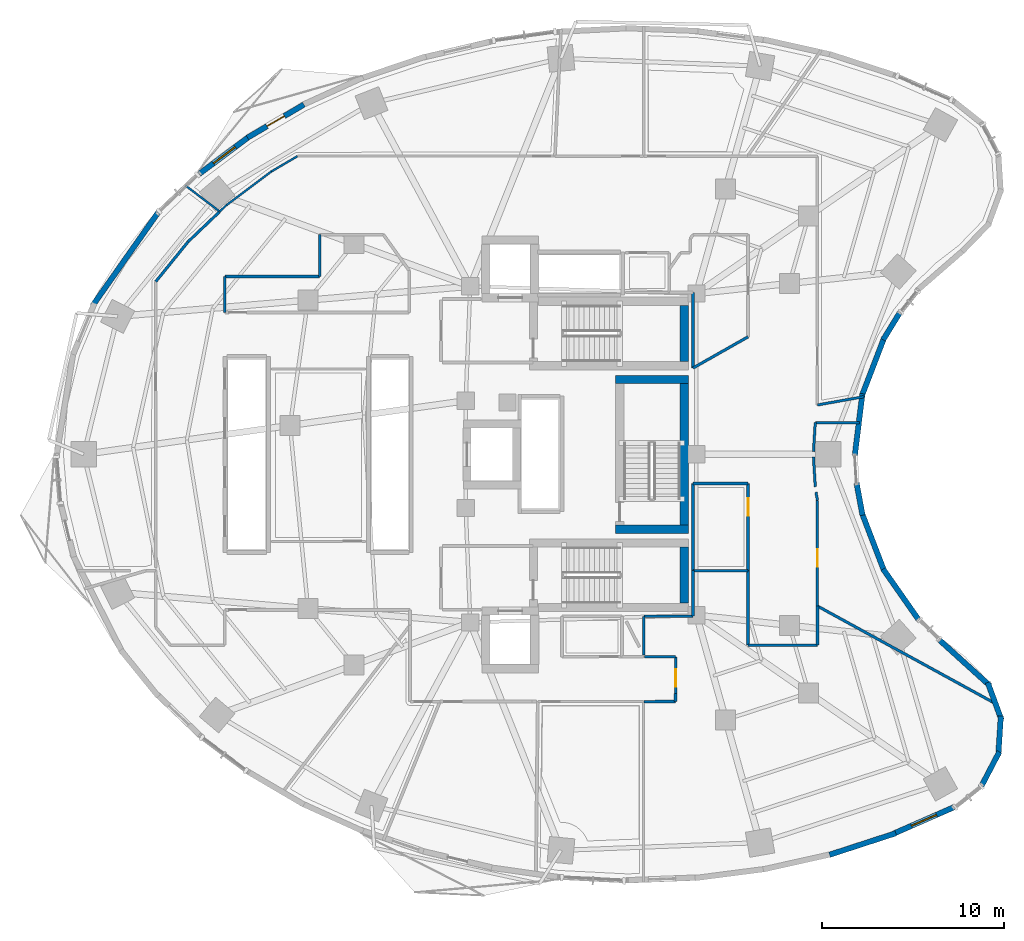
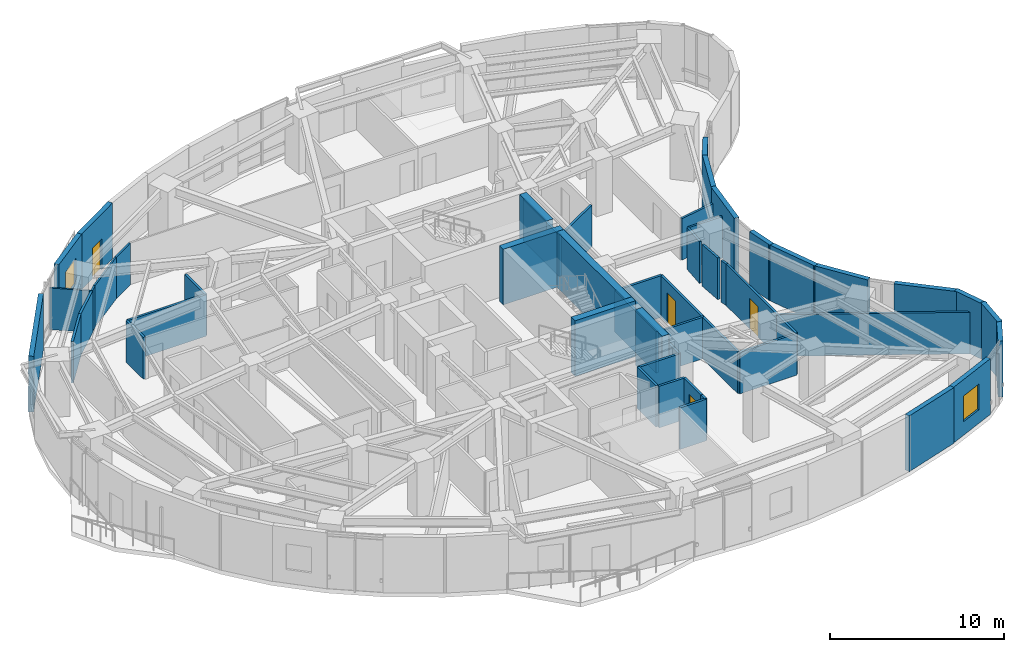
# One storey, part 10 of 15: 52 walls, 4 doors, 2 windows, 6 openings.
"""IFC4 building model written with IfcOpenShell, lengths in metres."""

from ifc_helpers import new_model, si_unit, direction, frame, frame_2d, origin, place, context, subcontext, project, spatial, rectangle, extrude, material, layer, layer_set, type_object, element, fill, save


model = new_model("IFC4")

# Units and contexts
model_context = context("Model", 3, precision=1e-05, world=origin(), true_north=direction((0.0, 1.0)))
body_context = subcontext(model_context, "Body", "Model", "MODEL_VIEW")
ifc_project = project(units=[si_unit("LENGTHUNIT", "METRE"), si_unit("AREAUNIT", "SQUARE_METRE"), si_unit("VOLUMEUNIT", "CUBIC_METRE"), si_unit("PLANEANGLEUNIT", "RADIAN"), si_unit("MASSUNIT", "GRAM", prefix="KILO")], contexts=[model_context])

# Site, building, storey
site_placement = place(None, origin())
site = spatial("IfcSite", under=ifc_project, at=site_placement, CompositionType="ELEMENT")
building_placement = place(site_placement, origin())
building = spatial("IfcBuilding", under=site, at=building_placement, Name="Korentha Bioscience Tower", CompositionType="ELEMENT")
storey_placement = place(building_placement, frame((0.0, 0.0, 38.39990234375)))
storey = spatial("IfcBuildingStorey", under=building, at=storey_placement, Name="L08", CompositionType="ELEMENT", Elevation=38.39990234375)

# Wall, opening, door
ifc_material_1 = material(Name="Double-Stud Acoustic Gypsum", Category="gypsum")
ifc_layer_1 = layer(ifc_material_1, 0.14990234375, Name="Double-Stud Acoustic Gypsum")
ifc_layer_set_1 = layer_set([ifc_layer_1], Name="Double-Stud Acoustic Gypsum (IW-L150)")
wall_type_1 = type_object("IfcWallType", Name="Acoustic Laboratory Partition Wall 150", PredefinedType="PARTITIONING", material=ifc_layer_set_1)
wall_1_placement = place(storey_placement, frame((36.409912109375, 13.85009765625, 0.0), z_axis=(0.0, 0.0, 1.0), x_axis=(0.0, 1.0, 0.0)))
wall_1 = element("IfcWall", 1, at=wall_1_placement, inside=storey, type_object=wall_type_1, Name="L08 Researchers' Wellness Quiet Room 06 Entrance Wall", PredefinedType="PARTITIONING", context=body_context, shape_type="SweptSolid", body=[
    extrude(rectangle(XDim=2.0, YDim=0.14990234375, at=frame_2d((1.0, 0.0))), origin(), (0.0, 0.0, 1.0), 2.91015625),
])
opening_1_placement = place(wall_1_placement, frame((0.37451171875, 0.0, 0.0)))
opening_1 = element("IfcOpeningElement", 2, at=opening_1_placement, cuts=wall_1, Name="Opening ID-10R", PredefinedType="OPENING", context=body_context, shape_type="SweptSolid", body=[
    extrude(rectangle(XDim=0.949951171875, YDim=2.14990234375, at=frame_2d((0.47509765625, 1.074951171875))), frame((0.0, 0.08984375, 0.0), z_axis=(0.0, -1.0, 0.0), x_axis=(1.0, 0.0, 0.0)), (0.0, 0.0, 1.0), 0.1796875),
])
ifc_material_2 = material(Name="Phenolic Laminate Timber Core", Category="wood")
door_type_1 = type_object("IfcDoorType", Name="Laboratory Single Leaf Door 950x2150 Right", OperationType="SINGLE_SWING_RIGHT", PredefinedType="DOOR", material=ifc_material_2)
door_1_placement = place(opening_1_placement, origin())
door_1 = element("IfcDoor", 3, at=door_1_placement, inside=storey, type_object=door_type_1, Name="L08 Researchers' Wellness Quiet Room 06 Door", OperationType="SINGLE_SWING_RIGHT", OverallHeight=2.14990234375, OverallWidth=0.949951171875, PredefinedType="DOOR", context=body_context, shape_type="SweptSolid", body=[
    extrude(rectangle(XDim=0.949951171875, YDim=2.14990234375, at=frame_2d((0.47509765625, 1.074951171875))), frame((0.0, 0.02490234375, 0.0), z_axis=(0.0, -1.0, 0.0), x_axis=(1.0, 0.0, 0.0)), (0.0, 0.0, 1.0), 0.050048828125),
])
fill(opening_1, door_1)

# Walls
wall_2_placement = place(storey_placement, frame((34.652099609375, 15.94970703125, 0.0), z_axis=(0.0, 0.0, 1.0), x_axis=(0.0, 1.0, 0.0)))
element("IfcWall", 4, at=wall_2_placement, inside=storey, type_object=wall_type_1, Name="L08 Interior Partition 037", PredefinedType="PARTITIONING", context=body_context, shape_type="SweptSolid", body=[
    extrude(rectangle(XDim=2.140380859375, YDim=0.14990234375, at=frame_2d((1.0703125, 0.0))), origin(), (0.0, 0.0, 1.0), 2.91015625),
])
wall_3_placement = place(storey_placement, frame((34.652099609375, 18.090087890625, 0.0), z_axis=(0.0, 0.0, 1.0), x_axis=(1.0, 0.0, 0.0)))
element("IfcWall", 5, at=wall_3_placement, inside=storey, type_object=wall_type_1, Name="L08 Interior Partition 038", PredefinedType="PARTITIONING", context=body_context, shape_type="SweptSolid", body=[
    extrude(rectangle(XDim=2.697998046875, YDim=0.14990234375, at=frame_2d((1.34912109375, 0.0))), origin(), (0.0, 0.0, 1.0), 2.91015625),
])
wall_4_placement = place(storey_placement, frame((37.360107421875, 18.10009765625, 0.0), z_axis=(0.0, 0.0, 1.0), x_axis=(0.0, 1.0, 0.0)))
element("IfcWall", 6, at=wall_4_placement, inside=storey, type_object=wall_type_1, Name="L08 Interior Partition 039", PredefinedType="PARTITIONING", context=body_context, shape_type="SweptSolid", body=[
    extrude(rectangle(XDim=2.497802734375, YDim=0.14990234375, at=frame_2d((1.2490234375, 0.0))), origin(), (0.0, 0.0, 1.0), 2.91015625),
])
wall_5_placement = place(storey_placement, frame((37.360107421875, 20.597900390625, 0.0), z_axis=(0.0, 0.0, 1.0), x_axis=(1.0, 0.0, 0.0)))
element("IfcWall", 7, at=wall_5_placement, inside=storey, type_object=wall_type_1, Name="L08 Interior Partition 040", PredefinedType="PARTITIONING", context=body_context, shape_type="SweptSolid", body=[
    extrude(rectangle(XDim=3.02978515625, YDim=0.14990234375, at=frame_2d((1.514892578125, 0.0))), origin(), (0.0, 0.0, 1.0), 2.91015625),
])
wall_6_placement = place(storey_placement, frame((40.389892578125, 20.597900390625, 0.0), z_axis=(0.0, 0.0, 1.0), x_axis=(0.0, -1.0, 0.0)))
element("IfcWall", 8, at=wall_6_placement, inside=storey, type_object=wall_type_1, Name="L08 Interior Partition 041", PredefinedType="PARTITIONING", context=body_context, shape_type="SweptSolid", body=[
    extrude(rectangle(XDim=4.097900390625, YDim=0.14990234375, at=frame_2d((2.048828125, 0.0))), origin(), (0.0, 0.0, 1.0), 2.91015625),
])
wall_7_placement = place(storey_placement, frame((40.39990234375, 16.489990234375, 0.0), z_axis=(0.0, 0.0, 1.0), x_axis=(1.0, 0.0, 0.0)))
element("IfcWall", 9, at=wall_7_placement, inside=storey, type_object=wall_type_1, Name="L08 Interior Partition 042", PredefinedType="PARTITIONING", context=body_context, shape_type="SweptSolid", body=[
    extrude(rectangle(XDim=3.800048828125, YDim=0.14990234375, at=frame_2d((1.89990234375, 0.0))), origin(), (0.0, 0.0, 1.0), 2.91015625),
])
wall_8_placement = place(storey_placement, frame((44.2099609375, 16.5, 0.0), z_axis=(0.0, 0.0, 1.0), x_axis=(0.0, 1.0, 0.0)))
element("IfcWall", 10, at=wall_8_placement, inside=storey, type_object=wall_type_1, Name="L08 Interior Partition 043", PredefinedType="PARTITIONING", context=body_context, shape_type="SweptSolid", body=[
    extrude(rectangle(XDim=2.151123046875, YDim=0.14990234375, at=frame_2d((1.07568359375, 0.0))), origin(), (0.0, 0.0, 1.0), 2.91015625),
])
wall_9_placement = place(storey_placement, frame((44.2099609375, 18.651123046875, 0.0), z_axis=(0.0, 0.0, 1.0), x_axis=(0.877020479267, -0.480452993483, 0.0)))
element("IfcWall", 11, at=wall_9_placement, inside=storey, type_object=wall_type_1, Name="L08 Interior Partition 044", PredefinedType="PARTITIONING", context=body_context, shape_type="SweptSolid", body=[
    extrude(rectangle(XDim=11.2138671875, YDim=0.14990234375, at=frame_2d((5.60693359375, 0.0))), origin(), (0.0, 0.0, 1.0), 2.91015625),
])
wall_10_placement = place(storey_placement, frame((34.657958984375, 13.389892578125, 0.0), z_axis=(0.0, 0.0, 1.0), x_axis=(0.999983490307, 0.005746226083, 0.0)))
element("IfcWall", 12, at=wall_10_placement, inside=storey, type_object=wall_type_1, Name="L08 Interior Partition 045", PredefinedType="PARTITIONING", context=body_context, shape_type="SweptSolid", body=[
    extrude(rectangle(XDim=1.741943359375, YDim=0.14990234375, at=frame_2d((0.87109375, 0.0))), origin(), (0.0, 0.0, 1.0), 2.91015625),
])
wall_11_placement = place(storey_placement, frame((36.39990234375, 13.39990234375, 0.0), z_axis=(0.0, 0.0, 1.0), x_axis=(0.0, 1.0, 0.0)))
element("IfcWall", 13, at=wall_11_placement, inside=storey, type_object=wall_type_1, Name="L08 Interior Partition 046", PredefinedType="PARTITIONING", context=body_context, shape_type="SweptSolid", body=[
    extrude(rectangle(XDim=0.440185546875, YDim=0.14990234375, at=frame_2d((0.22021484375, 0.0))), origin(), (0.0, 0.0, 1.0), 2.91015625),
])
wall_12_placement = place(storey_placement, frame((36.39990234375, 15.860107421875, 0.0), z_axis=(0.0, 0.0, 1.0), x_axis=(-1.0, 0.0, 0.0)))
element("IfcWall", 14, at=wall_12_placement, inside=storey, type_object=wall_type_1, Name="L08 Interior Partition 048", PredefinedType="PARTITIONING", context=body_context, shape_type="SweptSolid", body=[
    extrude(rectangle(XDim=1.705810546875, YDim=0.14990234375, at=frame_2d((0.85302734375, 0.0))), origin(), (0.0, 0.0, 1.0), 2.91015625),
])
wall_13_placement = place(storey_placement, frame((40.389892578125, 33.468994140625, 0.0), z_axis=(0.0, 0.0, 1.0), x_axis=(-0.870092348199, -0.492888735523, 0.0)))
element("IfcWall", 15, at=wall_13_placement, inside=storey, type_object=wall_type_1, Name="L08 Interior Partition 064", PredefinedType="PARTITIONING", context=body_context, shape_type="SweptSolid", body=[
    extrude(rectangle(XDim=3.482177734375, YDim=0.14990234375, at=frame_2d((1.7412109375, 0.0))), origin(), (0.0, 0.0, 1.0), 2.91015625),
])
wall_14_placement = place(storey_placement, frame((37.360107421875, 31.752685546875, 0.0), z_axis=(0.0, 0.0, 1.0), x_axis=(0.0, 1.0, 0.0)))
element("IfcWall", 16, at=wall_14_placement, inside=storey, type_object=wall_type_1, Name="L08 Interior Partition 065", PredefinedType="PARTITIONING", context=body_context, shape_type="SweptSolid", body=[
    extrude(rectangle(XDim=4.147216796875, YDim=0.14990234375, at=frame_2d((2.07373046875, 0.0))), origin(), (0.0, 0.0, 1.0), 2.91015625),
])
wall_15_placement = place(storey_placement, frame((11.590087890625, 34.81005859375, 0.0), z_axis=(0.0, 0.0, 1.0), x_axis=(0.0, 1.0, 0.0)))
element("IfcWall", 17, at=wall_15_placement, inside=storey, type_object=wall_type_1, Name="L08 Interior Partition 075", PredefinedType="PARTITIONING", context=body_context, shape_type="SweptSolid", body=[
    extrude(rectangle(XDim=1.97998046875, YDim=0.14990234375, at=frame_2d((0.989990234375, 0.0))), origin(), (0.0, 0.0, 1.0), 2.91015625),
])
wall_16_placement = place(storey_placement, frame((11.590087890625, 36.7900390625, 0.0), z_axis=(0.0, 0.0, 1.0), x_axis=(1.0, 0.0, 0.0)))
element("IfcWall", 18, at=wall_16_placement, inside=storey, type_object=wall_type_1, Name="L08 Interior Partition 076", PredefinedType="PARTITIONING", context=body_context, shape_type="SweptSolid", body=[
    extrude(rectangle(XDim=5.2099609375, YDim=0.14990234375, at=frame_2d((2.60498046875, 0.0))), origin(), (0.0, 0.0, 1.0), 2.91015625),
])
wall_17_placement = place(storey_placement, frame((16.81005859375, 36.800048828125, 0.0), z_axis=(0.0, 0.0, 1.0), x_axis=(0.0, 1.0, 0.0)))
element("IfcWall", 19, at=wall_17_placement, inside=storey, type_object=wall_type_1, Name="L08 Interior Partition 077", PredefinedType="PARTITIONING", context=body_context, shape_type="SweptSolid", body=[
    extrude(rectangle(XDim=2.2900390625, YDim=0.14990234375, at=frame_2d((1.14501953125, 0.0))), origin(), (0.0, 0.0, 1.0), 2.91015625),
])
wall_18_placement = place(storey_placement, frame((11.306640625, 40.3583984375, 0.0), z_axis=(0.0, 0.0, 1.0), x_axis=(-0.723655021688, -0.690161872017, 0.0)))
element("IfcWall", 20, at=wall_18_placement, inside=storey, type_object=wall_type_1, Name="L08 Interior Partition 080", PredefinedType="PARTITIONING", context=body_context, shape_type="SweptSolid", body=[
    extrude(rectangle(XDim=2.405517578125, YDim=0.14990234375, at=frame_2d((1.20263671875, 0.0))), origin(), (0.0, 0.0, 1.0), 2.91015625),
])
wall_19_placement = place(storey_placement, frame((9.565185546875, 38.697265625, 0.0), z_axis=(0.0, 0.0, 1.0), x_axis=(-0.629270515505, -0.777186347227, 0.0)))
element("IfcWall", 21, at=wall_19_placement, inside=storey, type_object=wall_type_1, Name="L08 Interior Partition 081", PredefinedType="PARTITIONING", context=body_context, shape_type="SweptSolid", body=[
    extrude(rectangle(XDim=2.8173828125, YDim=0.14990234375, at=frame_2d((1.40869140625, 0.0))), origin(), (0.0, 0.0, 1.0), 2.91015625),
])

# Wall, opening, door
ifc_material_3 = material(Name="Insulated Aluminium Honeycomb Panel", Category="aluminium")
ifc_layer_2 = layer(ifc_material_3, 0.139892578125, Name="Insulated Aluminium Honeycomb Panel")
ifc_layer_set_2 = layer_set([ifc_layer_2], Name="Insulated Aluminium Honeycomb Panel (IW-F60)")
wall_type_2 = type_object("IfcWallType", Name="Cleanroom Flush Metal Panel Partition 140", PredefinedType="PARTITIONING", material=ifc_layer_set_2)
wall_20_placement = place(storey_placement, frame((44.2099609375, 18.6611328125, 0.0), z_axis=(0.0, 0.0, 1.0), x_axis=(0.0, 1.0, 0.0)))
wall_20 = element("IfcWall", 22, at=wall_20_placement, inside=storey, type_object=wall_type_2, Name="L08 BSL-2 Cell Culture Cleanroom Laboratory 08 Entrance Wall", PredefinedType="PARTITIONING", context=body_context, shape_type="SweptSolid", body=[
    extrude(rectangle(XDim=5.809326171875, YDim=0.139892578125, at=frame_2d((2.90478515625, 0.0))), origin(), (0.0, 0.0, 1.0), 2.91015625),
])
opening_2_placement = place(wall_20_placement, frame((2.160888671875, 0.0, 0.0)))
opening_2 = element("IfcOpeningElement", 23, at=opening_2_placement, cuts=wall_20, Name="Opening ID-10R", PredefinedType="OPENING", context=body_context, shape_type="SweptSolid", body=[
    extrude(rectangle(XDim=0.949951171875, YDim=2.14990234375, at=frame_2d((0.47509765625, 1.074951171875))), frame((0.0, 0.0849609375, 0.0), z_axis=(0.0, -1.0, 0.0), x_axis=(1.0, 0.0, 0.0)), (0.0, 0.0, 1.0), 0.169677734375),
])
door_2_placement = place(opening_2_placement, origin())
door_2 = element("IfcDoor", 24, at=door_2_placement, inside=storey, type_object=door_type_1, Name="L08 BSL-2 Cell Culture Cleanroom Laboratory 08 Door", OperationType="SINGLE_SWING_RIGHT", OverallHeight=2.14990234375, OverallWidth=0.949951171875, PredefinedType="DOOR", context=body_context, shape_type="SweptSolid", body=[
    extrude(rectangle(XDim=0.949951171875, YDim=2.14990234375, at=frame_2d((0.47509765625, 1.074951171875))), frame((0.0, 0.02490234375, 0.0), z_axis=(0.0, -1.0, 0.0), x_axis=(1.0, 0.0, 0.0)), (0.0, 0.0, 1.0), 0.050048828125),
])
fill(opening_2, door_2)

# Walls
wall_21_placement = place(storey_placement, frame((44.209716796875, 24.47216796875, 0.0), z_axis=(0.0, 0.0, 1.0), x_axis=(-0.181936414242, 0.983310297502, 0.0)))
element("IfcWall", 25, at=wall_21_placement, inside=storey, type_object=wall_type_2, Name="L08 Interior Partition 053", PredefinedType="PARTITIONING", context=body_context, shape_type="SweptSolid", body=[
    extrude(rectangle(XDim=0.45751953125, YDim=0.139892578125, at=frame_2d((0.228759765625, 0.0))), origin(), (0.0, 0.0, 1.0), 2.91015625),
])
wall_22_placement = place(storey_placement, frame((44.090087890625, 25.217041015625, 0.0), z_axis=(0.0, 0.0, 1.0), x_axis=(-0.060976688407, 0.998139190429, 0.0)))
element("IfcWall", 26, at=wall_22_placement, inside=storey, type_object=wall_type_2, Name="L08 Interior Partition 054", PredefinedType="PARTITIONING", context=body_context, shape_type="SweptSolid", body=[
    extrude(rectangle(XDim=1.637451171875, YDim=0.139892578125, at=frame_2d((0.81884765625, 0.0))), origin(), (0.0, 0.0, 1.0), 2.91015625),
])
wall_23_placement = place(storey_placement, frame((43.990234375, 27.1484375, 0.0), z_axis=(0.0, 0.0, 1.0), x_axis=(0.061088381665, 0.998132360775, 0.0)))
element("IfcWall", 27, at=wall_23_placement, inside=storey, type_object=wall_type_2, Name="L08 Interior Partition 055", PredefinedType="PARTITIONING", context=body_context, shape_type="SweptSolid", body=[
    extrude(rectangle(XDim=1.6025390625, YDim=0.139892578125, at=frame_2d((0.80126953125, 0.0))), origin(), (0.0, 0.0, 1.0), 2.91015625),
])
wall_24_placement = place(storey_placement, frame((44.088134765625, 28.748046875, 0.0), z_axis=(0.0, 0.0, 1.0), x_axis=(1.0, 0.0, 0.0)))
element("IfcWall", 28, at=wall_24_placement, inside=storey, type_object=wall_type_2, Name="L08 Interior Partition 056", PredefinedType="PARTITIONING", context=body_context, shape_type="SweptSolid", body=[
    extrude(rectangle(XDim=2.423583984375, YDim=0.139892578125, at=frame_2d((1.2119140625, 0.0))), origin(), (0.0, 0.0, 1.0), 2.91015625),
])
wall_25_placement = place(storey_placement, frame((46.76318359375, 30.17529296875, 0.0), z_axis=(0.0, 0.0, 1.0), x_axis=(-0.98446827517, -0.175562567718, 0.0)))
element("IfcWall", 29, at=wall_25_placement, inside=storey, type_object=wall_type_2, Name="L08 Interior Partition 057", PredefinedType="PARTITIONING", context=body_context, shape_type="SweptSolid", body=[
    extrude(rectangle(XDim=2.593505859375, YDim=0.139892578125, at=frame_2d((1.296875, 0.0))), origin(), (0.0, 0.0, 1.0), 2.91015625),
])
ifc_material_4 = material(Name="Fire-Rated Framed Glass", Category="glass")
ifc_layer_3 = layer(ifc_material_4, 0.110107421875, Name="Fire-Rated Framed Glass")
ifc_layer_set_3 = layer_set([ifc_layer_3], Name="Fire-Rated Framed Glass (IW-G110)")
wall_type_3 = type_object("IfcWallType", Name="Demountable Glazed Office Partition 110", PredefinedType="MOVABLE", material=ifc_layer_set_3)
wall_26_placement = place(storey_placement, frame((15.585693359375, 43.40869140625, 0.0), z_axis=(0.0, 0.0, 1.0), x_axis=(-0.862446636904, -0.506148000582, 0.0)))
element("IfcWall", 30, at=wall_26_placement, inside=storey, type_object=wall_type_3, Name="L08 Interior Partition 070", PredefinedType="MOVABLE", context=body_context, shape_type="SweptSolid", body=[
    extrude(rectangle(XDim=1.652099609375, YDim=0.110107421875, at=frame_2d((0.826171875, 0.0))), origin(), (0.0, 0.0, 1.0), 2.91015625),
])
wall_27_placement = place(storey_placement, frame((14.159912109375, 42.57177734375, 0.0), z_axis=(0.0, 0.0, 1.0), x_axis=(-0.800808090092, -0.598921032227, 0.0)))
element("IfcWall", 31, at=wall_27_placement, inside=storey, type_object=wall_type_3, Name="L08 Interior Partition 071", PredefinedType="MOVABLE", context=body_context, shape_type="SweptSolid", body=[
    extrude(rectangle(XDim=3.078857421875, YDim=0.110107421875, at=frame_2d((1.53955078125, 0.0))), origin(), (0.0, 0.0, 1.0), 2.91015625),
])
wall_28_placement = place(storey_placement, frame((11.693359375, 40.72705078125, 0.0), z_axis=(0.0, 0.0, 1.0), x_axis=(-0.72367263626, -0.690143402148, 0.0)))
element("IfcWall", 32, at=wall_28_placement, inside=storey, type_object=wall_type_3, Name="L08 Interior Partition 072", PredefinedType="MOVABLE", context=body_context, shape_type="SweptSolid", body=[
    extrude(rectangle(XDim=0.524169921875, YDim=0.110107421875, at=frame_2d((0.26220703125, 0.0))), origin(), (0.0, 0.0, 1.0), 2.91015625),
])
wall_29_placement = place(storey_placement, frame((11.31396484375, 40.365234375, 0.0), z_axis=(0.0, 0.0, 1.0), x_axis=(-0.797445450475, 0.603391045274, 0.0)))
element("IfcWall", 33, at=wall_29_placement, inside=storey, type_object=wall_type_3, Name="L08 Interior Partition 073", PredefinedType="MOVABLE", context=body_context, shape_type="SweptSolid", body=[
    extrude(rectangle(XDim=2.438232421875, YDim=0.110107421875, at=frame_2d((1.21923828125, 0.0))), origin(), (0.0, 0.0, 1.0), 2.91015625),
])

# Wall, opening, door
ifc_material_5 = material(Name="Gypsum-Clad Steel Stud", Category="steel")
ifc_layer_4 = layer(ifc_material_5, 0.159912109375, Name="Gypsum-Clad Steel Stud")
ifc_layer_set_4 = layer_set([ifc_layer_4], Name="Gypsum-Clad Steel Stud (IW-C160)")
wall_type_4 = type_object("IfcWallType", Name="Fire-Rated Corridor Partition Wall 160", PredefinedType="PARTITIONING", material=ifc_layer_set_4)
wall_30_placement = place(storey_placement, frame((40.389892578125, 25.389892578125, 0.0), z_axis=(0.0, 0.0, 1.0), x_axis=(0.0, -1.0, 0.0)))
wall_30 = element("IfcWall", 34, at=wall_30_placement, inside=storey, type_object=wall_type_4, Name="L08 Cryogenic Dewar Supply Store 07 Entrance Wall", PredefinedType="PARTITIONING", context=body_context, shape_type="SweptSolid", body=[
    extrude(rectangle(XDim=4.781982421875, YDim=0.159912109375, at=frame_2d((2.39111328125, 0.0))), origin(), (0.0, 0.0, 1.0), 2.91015625),
])
opening_3_placement = place(wall_30_placement, frame((0.80419921875, 0.0, 0.0)))
opening_3 = element("IfcOpeningElement", 35, at=opening_3_placement, cuts=wall_30, Name="Opening ID-10L", PredefinedType="OPENING", context=body_context, shape_type="SweptSolid", body=[
    extrude(rectangle(XDim=0.949951171875, YDim=2.14990234375, at=frame_2d((0.47509765625, 1.074951171875))), frame((0.0, 0.0947265625, 0.0), z_axis=(0.0, -1.0, 0.0), x_axis=(1.0, 0.0, 0.0)), (0.0, 0.0, 1.0), 0.189697265625),
])
door_type_2 = type_object("IfcDoorType", Name="Laboratory Single Leaf Door 950x2150 Left", OperationType="SINGLE_SWING_LEFT", PredefinedType="DOOR", material=ifc_material_2)
door_3_placement = place(opening_3_placement, origin())
door_3 = element("IfcDoor", 36, at=door_3_placement, inside=storey, type_object=door_type_2, Name="L08 Cryogenic Dewar Supply Store 07 Door", OperationType="SINGLE_SWING_LEFT", OverallHeight=2.14990234375, OverallWidth=0.949951171875, PredefinedType="DOOR", context=body_context, shape_type="SweptSolid", body=[
    extrude(rectangle(XDim=0.949951171875, YDim=2.14990234375, at=frame_2d((0.47509765625, 1.074951171875))), frame((0.0, 0.02490234375, 0.0), z_axis=(0.0, -1.0, 0.0), x_axis=(1.0, 0.0, 0.0)), (0.0, 0.0, 1.0), 0.050048828125),
])
fill(opening_3, door_3)

# Walls
wall_31_placement = place(storey_placement, frame((37.360107421875, 20.60791015625, 0.0), z_axis=(0.0, 0.0, 1.0), x_axis=(0.0, 1.0, 0.0)))
element("IfcWall", 37, at=wall_31_placement, inside=storey, type_object=wall_type_4, Name="L08 Interior Partition 051", PredefinedType="PARTITIONING", context=body_context, shape_type="SweptSolid", body=[
    extrude(rectangle(XDim=4.781982421875, YDim=0.159912109375, at=frame_2d((2.39111328125, 0.0))), origin(), (0.0, 0.0, 1.0), 2.91015625),
])
wall_32_placement = place(storey_placement, frame((37.360107421875, 25.389892578125, 0.0), z_axis=(0.0, 0.0, 1.0), x_axis=(1.0, 0.0, 0.0)))
element("IfcWall", 38, at=wall_32_placement, inside=storey, type_object=wall_type_4, Name="L08 Interior Partition 052", PredefinedType="PARTITIONING", context=body_context, shape_type="SweptSolid", body=[
    extrude(rectangle(XDim=3.02978515625, YDim=0.159912109375, at=frame_2d((1.514892578125, 0.0))), origin(), (0.0, 0.0, 1.0), 2.91015625),
])

# Wall, opening, door
ifc_material_6 = material(Name="Honed Limestone Precast Concrete C40", Category="masonry")
ifc_layer_5 = layer(ifc_material_6, 0.300048828125, Name="Honed Limestone Precast Concrete C40")
ifc_layer_set_5 = layer_set([ifc_layer_5], Name="Honed Limestone Precast Concrete C40 (EW-ST300)")
wall_type_5 = type_object("IfcWallType", Name="Honed Limestone Cavity Spandrel Wall 300", PredefinedType="STANDARD", material=ifc_layer_set_5)
wall_33_placement = place(storey_placement, frame((15.943603515625, 46.25048828125, 0.0), z_axis=(0.0, 0.0, 1.0), x_axis=(-0.862473134325, -0.506102847817, 0.0)))
wall_33 = element("IfcWall", 39, at=wall_33_placement, inside=storey, type_object=wall_type_5, Name="L08 Balcony Threshold Wall 01", PredefinedType="STANDARD", context=body_context, shape_type="SweptSolid", body=[
    extrude(rectangle(XDim=3.59521484375, YDim=0.300048828125, at=frame_2d((1.797607421875, 0.0))), origin(), (0.0, 0.0, 1.0), 3.900146484375),
])
opening_4_placement = place(wall_33_placement, frame((1.24755859375, 0.0, 0.0)))
opening_4 = element("IfcOpeningElement", 40, at=opening_4_placement, cuts=wall_33, Name="Opening BD-11L", PredefinedType="OPENING", context=body_context, shape_type="SweptSolid", body=[
    extrude(rectangle(XDim=1.10009765625, YDim=2.14990234375, at=frame_2d((0.550048828125, 1.074951171875))), frame((0.0, 0.1650390625, 0.0), z_axis=(0.0, -1.0, 0.0), x_axis=(1.0, 0.0, 0.0)), (0.0, 0.0, 1.0), 0.329833984375),
])
ifc_material_7 = material(Name="Thermally Broken Glazed Aluminium", Category="aluminium")
door_type_3 = type_object("IfcDoorType", Name="Balcony Terrace Glazed Door 1100x2150 Left", OperationType="SINGLE_SWING_LEFT", PredefinedType="DOOR", material=ifc_material_7)
door_4_placement = place(opening_4_placement, origin())
door_4 = element("IfcDoor", 41, at=door_4_placement, inside=storey, type_object=door_type_3, Name="L08 Balcony Access Door 01", OperationType="SINGLE_SWING_LEFT", OverallHeight=2.14990234375, OverallWidth=1.10009765625, PredefinedType="DOOR", context=body_context, shape_type="SweptSolid", body=[
    extrude(rectangle(XDim=1.10009765625, YDim=2.14990234375, at=frame_2d((0.550048828125, 1.074951171875))), frame((0.0, 0.02490234375, 0.0), z_axis=(0.0, -1.0, 0.0), x_axis=(1.0, 0.0, 0.0)), (0.0, 0.0, 1.0), 0.050048828125),
])
fill(opening_4, door_4)

# Wall, opening, window
wall_34_placement = place(storey_placement, frame((12.957275390625, 44.507080078125, 0.0), z_axis=(0.0, 0.0, 1.0), x_axis=(-0.800798896088, -0.59893332519, 0.0)))
wall_34 = element("IfcWall", 42, at=wall_34_placement, inside=storey, type_object=wall_type_5, Name="L08 Honed Limestone Spandrel Wall 12", PredefinedType="STANDARD", context=body_context, shape_type="SweptSolid", body=[
    extrude(rectangle(XDim=3.480712890625, YDim=0.300048828125, at=frame_2d((1.740234375, 0.0))), origin(), (0.0, 0.0, 1.0), 3.900146484375),
])
opening_5_placement = place(wall_34_placement, frame((0.990478515625, 0.0, 0.949951171875)))
opening_5 = element("IfcOpeningElement", 43, at=opening_5_placement, cuts=wall_34, Name="Opening WN-02", PredefinedType="OPENING", context=body_context, shape_type="SweptSolid", body=[
    extrude(rectangle(XDim=1.5, YDim=1.800048828125, at=frame_2d((0.75, 0.89990234375))), frame((0.0, 0.1650390625, 0.0), z_axis=(0.0, -1.0, 0.0), x_axis=(1.0, 0.0, 0.0)), (0.0, 0.0, 1.0), 0.329833984375),
])
ifc_material_8 = material(Name="Thermally Broken Aluminium Triple Glazing", Category="aluminium")
window_type = type_object("IfcWindowType", Name="Acoustic Operable Office Window 1500x1800", PartitioningType="DOUBLE_PANEL_VERTICAL", PredefinedType="WINDOW", material=ifc_material_8)
window_1_placement = place(opening_5_placement, origin())
window_1 = element("IfcWindow", 44, at=window_1_placement, inside=storey, type_object=window_type, Name="L08 Facade Window 12", OverallHeight=1.800048828125, OverallWidth=1.5, PartitioningType="DOUBLE_PANEL_VERTICAL", PredefinedType="WINDOW", context=body_context, shape_type="SweptSolid", body=[
    extrude(rectangle(XDim=1.5, YDim=1.800048828125, at=frame_2d((0.75, 0.89990234375))), frame((0.0, 0.030029296875, 0.0), z_axis=(0.0, -1.0, 0.0), x_axis=(1.0, 0.0, 0.0)), (0.0, 0.0, 1.0), 0.06005859375),
])
fill(opening_5, window_1)

wall_35_placement = place(storey_placement, frame((48.37255859375, 6.115478515625, 0.0), z_axis=(0.0, 0.0, 1.0), x_axis=(0.91593836551, 0.401318963652, 0.0)))
wall_35 = element("IfcWall", 45, at=wall_35_placement, inside=storey, type_object=wall_type_5, Name="L08 Honed Limestone Spandrel Wall 36", PredefinedType="STANDARD", context=body_context, shape_type="SweptSolid", body=[
    extrude(rectangle(XDim=3.712646484375, YDim=0.300048828125, at=frame_2d((1.8564453125, 0.0))), origin(), (0.0, 0.0, 1.0), 3.900146484375),
])
opening_6_placement = place(wall_35_placement, frame((1.106201171875, 0.0, 0.949951171875)))
opening_6 = element("IfcOpeningElement", 46, at=opening_6_placement, cuts=wall_35, Name="Opening WN-02", PredefinedType="OPENING", context=body_context, shape_type="SweptSolid", body=[
    extrude(rectangle(XDim=1.5, YDim=1.800048828125, at=frame_2d((0.75, 0.89990234375))), frame((0.0, 0.1650390625, 0.0), z_axis=(0.0, -1.0, 0.0), x_axis=(1.0, 0.0, 0.0)), (0.0, 0.0, 1.0), 0.329833984375),
])
window_2_placement = place(opening_6_placement, origin())
window_2 = element("IfcWindow", 47, at=window_2_placement, inside=storey, type_object=window_type, Name="L08 Facade Window 36", OverallHeight=1.800048828125, OverallWidth=1.5, PartitioningType="DOUBLE_PANEL_VERTICAL", PredefinedType="WINDOW", context=body_context, shape_type="SweptSolid", body=[
    extrude(rectangle(XDim=1.5, YDim=1.800048828125, at=frame_2d((0.75, 0.89990234375))), frame((0.0, 0.030029296875, 0.0), z_axis=(0.0, -1.0, 0.0), x_axis=(1.0, 0.0, 0.0)), (0.0, 0.0, 1.0), 0.06005859375),
])
fill(opening_6, window_2)

# Walls
wall_36_placement = place(storey_placement, frame((7.935791015625, 40.333251953125, 0.0), z_axis=(0.0, 0.0, 1.0), x_axis=(-0.575165804445, -0.818036855769, 0.0)))
element("IfcWall", 48, at=wall_36_placement, inside=storey, type_object=wall_type_5, Name="L08 Limestone Perimeter Closure Wall 14", PredefinedType="STANDARD", context=body_context, shape_type="SweptSolid", body=[
    extrude(rectangle(XDim=6.295654296875, YDim=0.300048828125, at=frame_2d((3.14794921875, 0.0))), origin(), (0.0, 0.0, 1.0), 3.900146484375),
])
wall_37_placement = place(storey_placement, frame((44.872802734375, 4.963134765625, 0.0), z_axis=(0.0, 0.0, 1.0), x_axis=(0.950965833732, 0.309295947393, 0.0)))
element("IfcWall", 49, at=wall_37_placement, inside=storey, type_object=wall_type_5, Name="L08 Limestone Perimeter Closure Wall 35", PredefinedType="STANDARD", context=body_context, shape_type="SweptSolid", body=[
    extrude(rectangle(XDim=3.840087890625, YDim=0.300048828125, at=frame_2d((1.919921875, 0.0))), origin(), (0.0, 0.0, 1.0), 3.900146484375),
])
wall_38_placement = place(storey_placement, frame((53.20751953125, 8.691650390625, 0.0), z_axis=(0.0, 0.0, 1.0), x_axis=(0.463035066673, 0.886339961319, 0.0)))
element("IfcWall", 50, at=wall_38_placement, inside=storey, type_object=wall_type_5, Name="L08 Limestone Perimeter Closure Wall 38", PredefinedType="STANDARD", context=body_context, shape_type="SweptSolid", body=[
    extrude(rectangle(XDim=2.1875, YDim=0.300048828125, at=frame_2d((1.09375, 0.0))), origin(), (0.0, 0.0, 1.0), 3.900146484375),
])
for number, where, z_axis, x_axis, name in (
    (51, (54.16259765625, 10.42431640625, 0.0), (0.0, 0.0, 1.0), (0.064615302336, 0.99791024782, 0.0), "L08 Limestone Perimeter Closure Wall 39"),
    (52, (54.334716796875, 12.39501953125, 0.0), (0.0, 0.0, 1.0), (-0.344939866054, 0.938624785954, 0.0), "L08 Limestone Perimeter Closure Wall 40"),
):
    element("IfcWall", number, at=place(storey_placement, frame(where, z_axis=z_axis, x_axis=x_axis)), inside=storey, type_object=wall_type_5, Name=name, PredefinedType="STANDARD", context=body_context, shape_type="SweptSolid", body=[
        extrude(rectangle(XDim=2.187744140625, YDim=0.300048828125, at=frame_2d((1.09375, 0.0))), origin(), (0.0, 0.0, 1.0), 3.900146484375),
    ])
wall_39_placement = place(storey_placement, frame((53.704345703125, 14.26416015625, 0.0), z_axis=(0.0, 0.0, 1.0), x_axis=(-0.74117794387, 0.671308614216, 0.0)))
element("IfcWall", 53, at=wall_39_placement, inside=storey, type_object=wall_type_5, Name="L08 Limestone Perimeter Closure Wall 41", PredefinedType="STANDARD", context=body_context, shape_type="SweptSolid", body=[
    extrude(rectangle(XDim=3.815673828125, YDim=0.300048828125, at=frame_2d((1.90771484375, 0.0))), origin(), (0.0, 0.0, 1.0), 3.900146484375),
])
wall_40_placement = place(storey_placement, frame((49.79248046875, 17.8779296875, 0.0), z_axis=(0.0, 0.0, 1.0), x_axis=(-0.573576992806, 0.819151654655, 0.0)))
element("IfcWall", 54, at=wall_40_placement, inside=storey, type_object=wall_type_5, Name="L08 Limestone Perimeter Closure Wall 44", PredefinedType="STANDARD", context=body_context, shape_type="SweptSolid", body=[
    extrude(rectangle(XDim=3.429931640625, YDim=0.300048828125, at=frame_2d((1.71484375, 0.0))), origin(), (0.0, 0.0, 1.0), 3.900146484375),
])
wall_41_placement = place(storey_placement, frame((47.8837890625, 20.577392578125, 0.0), z_axis=(0.0, 0.0, 1.0), x_axis=(-0.358344570513, 0.933589400531, 0.0)))
element("IfcWall", 55, at=wall_41_placement, inside=storey, type_object=wall_type_5, Name="L08 Limestone Perimeter Closure Wall 46", PredefinedType="STANDARD", context=body_context, shape_type="SweptSolid", body=[
    extrude(rectangle(XDim=3.4296875, YDim=0.300048828125, at=frame_2d((1.71484375, 0.0))), origin(), (0.0, 0.0, 1.0), 3.900146484375),
])
wall_42_placement = place(storey_placement, frame((46.691162109375, 23.650390625, 0.0), z_axis=(0.0, 0.0, 1.0), x_axis=(-0.182230271073, 0.983255881399, 0.0)))
element("IfcWall", 56, at=wall_42_placement, inside=storey, type_object=wall_type_5, Name="L08 Limestone Perimeter Closure Wall 48", PredefinedType="STANDARD", context=body_context, shape_type="SweptSolid", body=[
    extrude(rectangle(XDim=1.7978515625, YDim=0.300048828125, at=frame_2d((0.89892578125, 0.0))), origin(), (0.0, 0.0, 1.0), 3.900146484375),
])
for number, where, z_axis, x_axis, name in (
    (57, (46.26708984375, 26.937744140625, 0.0), (0.0, 0.0, 1.0), (0.121870386032, 0.992546023622, 0.0), "L08 Limestone Perimeter Closure Wall 50"),
    (58, (46.65478515625, 30.220703125, 0.0), (0.0, 0.0, 1.0), (0.358344570513, 0.933589400531, 0.0), "L08 Limestone Perimeter Closure Wall 52"),
):
    element("IfcWall", number, at=place(storey_placement, frame(where, z_axis=z_axis, x_axis=x_axis)), inside=storey, type_object=wall_type_5, Name=name, PredefinedType="STANDARD", context=body_context, shape_type="SweptSolid", body=[
        extrude(rectangle(XDim=3.4296875, YDim=0.300048828125, at=frame_2d((1.71484375, 0.0))), origin(), (0.0, 0.0, 1.0), 3.900146484375),
    ])
wall_43_placement = place(storey_placement, frame((47.82470703125, 33.302734375, 0.0), z_axis=(0.0, 0.0, 1.0), x_axis=(0.522520662875, 0.852626622191, 0.0)))
element("IfcWall", 59, at=wall_43_placement, inside=storey, type_object=wall_type_5, Name="L08 Limestone Perimeter Closure Wall 54", PredefinedType="STANDARD", context=body_context, shape_type="SweptSolid", body=[
    extrude(rectangle(XDim=1.7978515625, YDim=0.300048828125, at=frame_2d((0.89892578125, 0.0))), origin(), (0.0, 0.0, 1.0), 3.900146484375),
])
ifc_material_9 = material(Name="Concrete C80", Category="concrete")
ifc_layer_6 = layer(ifc_material_9, 0.449951171875, Name="Concrete C80")
ifc_layer_set_6 = layer_set([ifc_layer_6], Name="Concrete C80 (CW-C80)")
wall_type_6 = type_object("IfcWallType", Name="Lower Core Shear Wall 450", PredefinedType="SHEAR", material=ifc_layer_set_6)
for number, where, z_axis, x_axis, name in (
    (60, (36.875, 32.110107421875, 0.0), (0.0, 0.0, 1.0), (0.0, 1.0, 0.0), "L08 Core Shear Wall ST1-E"),
    (61, (36.875, 18.81005859375, 0.0), (0.0, 0.0, 1.0), (0.0, 1.0, 0.0), "L08 Core Shear Wall ST2-E"),
):
    element("IfcWall", number, at=place(storey_placement, frame(where, z_axis=z_axis, x_axis=x_axis)), inside=storey, type_object=wall_type_6, Name=name, PredefinedType="SHEAR", context=body_context, shape_type="SweptSolid", body=[
        extrude(rectangle(XDim=3.079833984375, YDim=0.449951171875, at=frame_2d((1.5400390625, 0.0))), origin(), (0.0, 0.0, 1.0), 3.900146484375),
    ])
for number, where, z_axis, x_axis, name in (
    (62, (33.10009765625, 31.125, 0.0), (0.0, 0.0, 1.0), (1.0, 0.0, 0.0), "L08 Core Shear Wall ST3-N"),
    (63, (33.10009765625, 22.875, 0.0), (0.0, 0.0, 1.0), (1.0, 0.0, 0.0), "L08 Core Shear Wall ST3-S"),
):
    element("IfcWall", number, at=place(storey_placement, frame(where, z_axis=z_axis, x_axis=x_axis)), inside=storey, type_object=wall_type_6, Name=name, PredefinedType="SHEAR", context=body_context, shape_type="SweptSolid", body=[
        extrude(rectangle(XDim=4.0, YDim=0.449951171875, at=frame_2d((2.0, 0.0))), origin(), (0.0, 0.0, 1.0), 3.900146484375),
    ])
wall_44_placement = place(storey_placement, frame((36.875, 23.110107421875, 0.0), z_axis=(0.0, 0.0, 1.0), x_axis=(0.0, 1.0, 0.0)))
element("IfcWall", 64, at=wall_44_placement, inside=storey, type_object=wall_type_6, Name="L08 Core Shear Wall ST3-E", PredefinedType="SHEAR", context=body_context, shape_type="SweptSolid", body=[
    extrude(rectangle(XDim=7.77978515625, YDim=0.449951171875, at=frame_2d((3.889892578125, 0.0))), origin(), (0.0, 0.0, 1.0), 3.900146484375),
])

save(model, "model.ifc")
